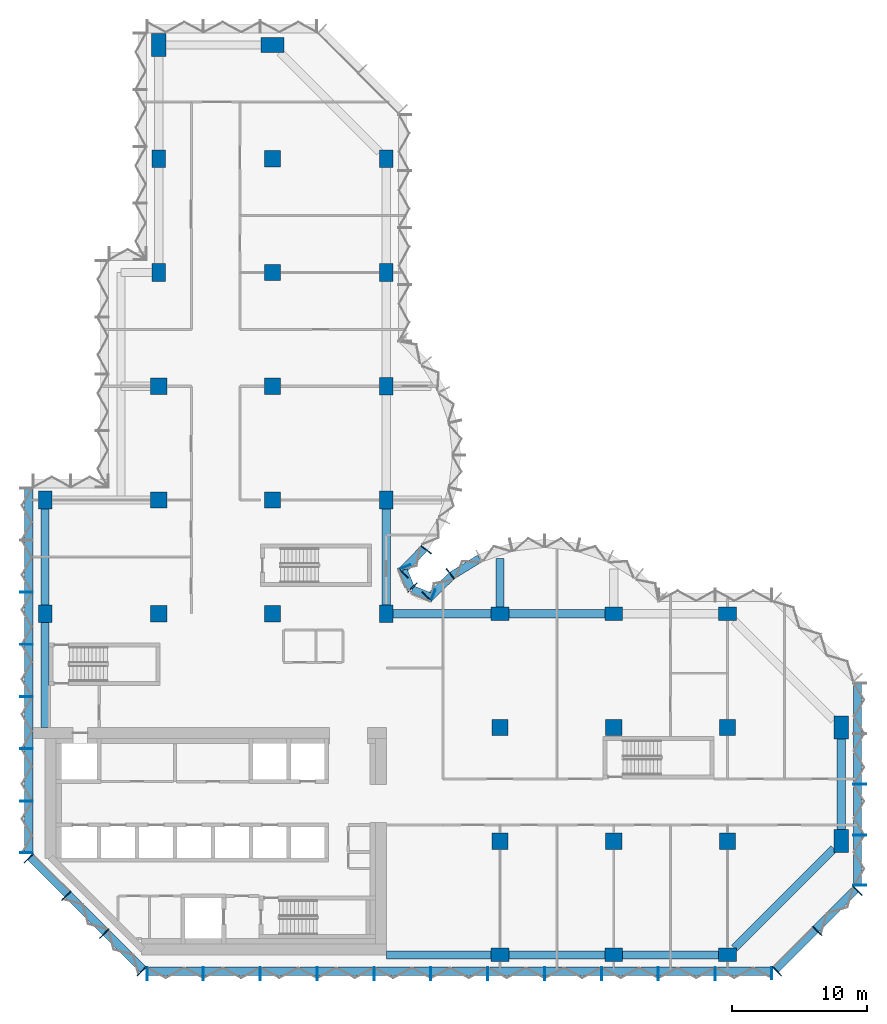
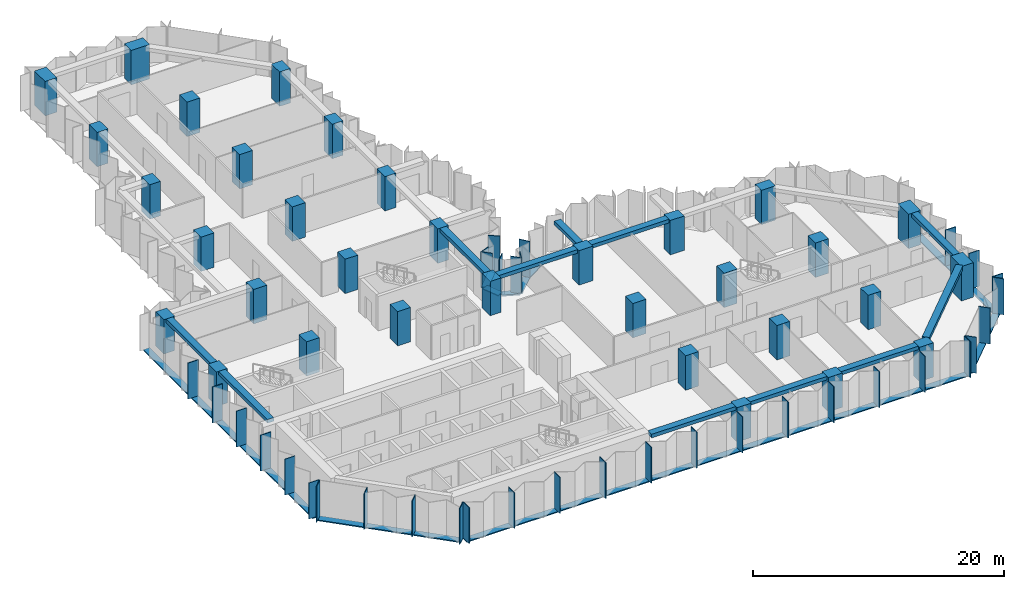
# One storey, part 1 of 11: 45 members, 33 columns, 11 beams, 8 elements without a shape of their own.
"""IFC4 building model written with IfcOpenShell, lengths in metres."""

from ifc_helpers import new_model, si_unit, direction, frame, origin, origin_2d, place, context, subcontext, project, spatial, rectangle, extrude, material, material_profile, profile_set, type_object, element, aggregate, save


model = new_model("IFC4")

# Units and contexts
model_context = context("Model", 3, precision=1e-05, world=origin(), true_north=direction((0.0, 1.0)))
body_context = subcontext(model_context, "Body", "Model", "MODEL_VIEW")
ifc_project = project(units=[si_unit("LENGTHUNIT", "METRE"), si_unit("AREAUNIT", "SQUARE_METRE"), si_unit("VOLUMEUNIT", "CUBIC_METRE"), si_unit("PLANEANGLEUNIT", "RADIAN"), si_unit("MASSUNIT", "GRAM", prefix="KILO")], contexts=[model_context])

# Site, building, storey
site_placement = place(None, origin())
site = spatial("IfcSite", under=ifc_project, at=site_placement, CompositionType="ELEMENT")
building_placement = place(site_placement, origin())
building = spatial("IfcBuilding", under=site, at=building_placement, Name="Brevane Broadcast Tower", CompositionType="ELEMENT")
storey_placement = place(building_placement, frame((0.0, 0.0, 149.300048828125)))
storey = spatial("IfcBuildingStorey", under=building, at=storey_placement, Name="L37", CompositionType="ELEMENT", Elevation=149.300048828125)

# Columns
ifc_material_1 = material(Name="Concrete C60/75", Category="concrete")
ifc_material_profile_1 = material_profile(ifc_material_1, rectangle(XDim=1.0, YDim=1.300048828125, at=origin_2d()), Name="RC 1000x1300")
ifc_profile_set_1 = profile_set([ifc_material_profile_1], Name="Concrete C60/75")
column_type_1 = type_object("IfcColumnType", Name="RC COLUMN EDGE 1000x1300 C60/75", PredefinedType="COLUMN", material=ifc_profile_set_1)
for number, where, z_axis, x_axis, name in (
    (1, (0.0, 25.199951171875, 0.0), (0.0, 0.0, 1.0), (1.0, 0.0, 0.0), "CE8 1/D"),
    (2, (0.0, 33.60009765625, 0.0), (0.0, 0.0, 1.0), (1.0, 0.0, 0.0), "CE8 1/E"),
    (3, (8.39990234375, 50.39990234375, 0.0), (0.0, 0.0, 1.0), (1.0, 0.0, 0.0), "CE8 2/G"),
    (4, (8.39990234375, 58.800048828125, 0.0), (0.0, 0.0, 1.0), (1.0, 0.0, 0.0), "CE8 2/H"),
    (5, (25.199951171875, 25.199951171875, 0.0), (0.0, 0.0, 1.0), (1.0, 0.0, 0.0), "CE8 4/D"),
    (6, (25.199951171875, 33.60009765625, 0.0), (0.0, 0.0, 1.0), (1.0, 0.0, 0.0), "CE8 4/E"),
    (7, (25.199951171875, 42.0, 0.0), (0.0, 0.0, 1.0), (1.0, 0.0, 0.0), "CE8 4/F"),
    (8, (25.199951171875, 50.39990234375, 0.0), (0.0, 0.0, 1.0), (1.0, 0.0, 0.0), "CE8 4/G"),
    (9, (25.199951171875, 58.800048828125, 0.0), (0.0, 0.0, 1.0), (1.0, 0.0, 0.0), "CE8 4/H"),
    (10, (33.60009765625, 0.0, 0.0), (0.0, 0.0, 1.0), (0.0, 1.0, 0.0), "CE8 5/A"),
    (11, (33.60009765625, 25.199951171875, 0.0), (0.0, 0.0, 1.0), (0.0, 1.0, 0.0), "CE8 5/D"),
    (12, (42.0, 0.0, 0.0), (0.0, 0.0, 1.0), (0.0, 1.0, 0.0), "CE8 6/A"),
    (13, (42.0, 25.199951171875, 0.0), (0.0, 0.0, 1.0), (0.0, 1.0, 0.0), "CE8 6/D"),
    (14, (50.39990234375, 0.0, 0.0), (0.0, 0.0, 1.0), (0.0, 1.0, 0.0), "CE8 7/A"),
    (15, (50.39990234375, 25.199951171875, 0.0), (0.0, 0.0, 1.0), (0.0, 1.0, 0.0), "CE8 7/D"),
):
    element("IfcColumn", number, at=place(storey_placement, frame(where, z_axis=z_axis, x_axis=x_axis)), inside=storey, type_object=column_type_1, Name=name, PredefinedType="COLUMN", context=body_context, shape_type="SweptSolid", body=[
        extrude(rectangle(XDim=1.0, YDim=1.300048828125, at=origin_2d()), origin(), (0.0, 0.0, 1.0), 3.349853515625),
    ])
ifc_material_profile_2 = material_profile(ifc_material_1, rectangle(XDim=1.199951171875, YDim=1.199951171875, at=origin_2d()), Name="RC 1200x1200")
ifc_profile_set_2 = profile_set([ifc_material_profile_2], Name="Concrete C60/75")
column_type_2 = type_object("IfcColumnType", Name="RC COLUMN INTERIOR 1200x1200 C60/75", PredefinedType="COLUMN", material=ifc_profile_set_2)
for number, where, z_axis, x_axis, name in (
    (16, (8.39990234375, 25.199951171875, 0.0), (0.0, 0.0, 1.0), (1.0, 0.0, 0.0), "CI9 2/D"),
    (17, (8.39990234375, 33.60009765625, 0.0), (0.0, 0.0, 1.0), (1.0, 0.0, 0.0), "CI9 2/E"),
    (18, (8.39990234375, 42.0, 0.0), (0.0, 0.0, 1.0), (1.0, 0.0, 0.0), "CI9 2/F"),
    (19, (16.800048828125, 25.199951171875, 0.0), (0.0, 0.0, 1.0), (1.0, 0.0, 0.0), "CI9 3/D"),
    (20, (16.800048828125, 33.60009765625, 0.0), (0.0, 0.0, 1.0), (1.0, 0.0, 0.0), "CI9 3/E"),
    (21, (16.800048828125, 42.0, 0.0), (0.0, 0.0, 1.0), (1.0, 0.0, 0.0), "CI9 3/F"),
    (22, (16.800048828125, 50.39990234375, 0.0), (0.0, 0.0, 1.0), (1.0, 0.0, 0.0), "CI9 3/G"),
    (23, (16.800048828125, 58.800048828125, 0.0), (0.0, 0.0, 1.0), (1.0, 0.0, 0.0), "CI9 3/H"),
    (24, (33.60009765625, 8.39990234375, 0.0), (0.0, 0.0, 1.0), (1.0, 0.0, 0.0), "CI9 5/B"),
    (25, (33.60009765625, 16.800048828125, 0.0), (0.0, 0.0, 1.0), (1.0, 0.0, 0.0), "CI9 5/C"),
    (26, (42.0, 8.39990234375, 0.0), (0.0, 0.0, 1.0), (1.0, 0.0, 0.0), "CI9 6/B"),
    (27, (42.0, 16.800048828125, 0.0), (0.0, 0.0, 1.0), (1.0, 0.0, 0.0), "CI9 6/C"),
    (28, (50.39990234375, 8.39990234375, 0.0), (0.0, 0.0, 1.0), (1.0, 0.0, 0.0), "CI9 7/B"),
    (29, (50.39990234375, 16.800048828125, 0.0), (0.0, 0.0, 1.0), (1.0, 0.0, 0.0), "CI9 7/C"),
):
    element("IfcColumn", number, at=place(storey_placement, frame(where, z_axis=z_axis, x_axis=x_axis)), inside=storey, type_object=column_type_2, Name=name, PredefinedType="COLUMN", context=body_context, shape_type="SweptSolid", body=[
        extrude(rectangle(XDim=1.199951171875, YDim=1.199951171875, at=origin_2d()), origin(), (0.0, 0.0, 1.0), 3.349853515625),
    ])
ifc_material_profile_3 = material_profile(ifc_material_1, rectangle(XDim=1.10009765625, YDim=1.699951171875, at=origin_2d()), Name="RC 1100x1700")
ifc_profile_set_3 = profile_set([ifc_material_profile_3], Name="Concrete C60/75")
column_type_3 = type_object("IfcColumnType", Name="RC COLUMN WING-END 1100x1700 C60/75", PredefinedType="COLUMN", material=ifc_profile_set_3)
for number, where, z_axis, x_axis, name in (
    (30, (8.39990234375, 67.199951171875, 0.0), (0.0, 0.0, 1.0), (1.0, 0.0, 0.0), "CW10 2/I"),
    (31, (16.800048828125, 67.199951171875, 0.0), (0.0, 0.0, 1.0), (0.0, 1.0, 0.0), "CW10 3/I"),
    (32, (58.800048828125, 8.39990234375, 0.0), (0.0, 0.0, 1.0), (1.0, 0.0, 0.0), "CW10 8/B"),
    (33, (58.800048828125, 16.800048828125, 0.0), (0.0, 0.0, 1.0), (1.0, 0.0, 0.0), "CW10 8/C"),
):
    element("IfcColumn", number, at=place(storey_placement, frame(where, z_axis=z_axis, x_axis=x_axis)), inside=storey, type_object=column_type_3, Name=name, PredefinedType="COLUMN", context=body_context, shape_type="SweptSolid", body=[
        extrude(rectangle(XDim=1.10009765625, YDim=1.699951171875, at=origin_2d()), origin(), (0.0, 0.0, 1.0), 3.349853515625),
    ])

# Curtain wall, members
ifc_material_2 = material(Name="Aluminium 6063-T6 bronze anodised", Category="aluminium")
curtain_wall_type = type_object("IfcCurtainWallType", Name="CW-1 curtain wall", PredefinedType="NOTDEFINED", material=ifc_material_2)
curtain_wall_1_placement = place(storey_placement, origin())
curtain_wall_1 = element("IfcCurtainWall", 34, at=curtain_wall_1_placement, inside=storey, type_object=curtain_wall_type, Name="CW-1 typical tilted unit L37 south face", PredefinedType="NOTDEFINED")
ifc_material_profile_4 = material_profile(ifc_material_2, rectangle(XDim=0.949951171875, YDim=0.070068359375, at=origin_2d()), Name="RECT 70x950")
ifc_profile_set_4 = profile_set([ifc_material_profile_4], Name="Aluminium 6063-T6 bronze anodised")
member_type_1 = type_object("IfcMemberType", Name="CW-1 mullion 70x950", PredefinedType="MULLION", material=ifc_profile_set_4)
member_1_placement = place(storey_placement, frame((7.534912109375, -1.375, -0.150146484375), z_axis=(0.0, 0.0, 1.0), x_axis=(0.0, 1.0, 0.0)))
member_1 = element("IfcMember", 35, at=member_1_placement, type_object=member_type_1, Name="CW-1 mullion", PredefinedType="MULLION", context=body_context, shape_type="SweptSolid", body=[
    extrude(rectangle(XDim=0.949951171875, YDim=0.070068359375, at=origin_2d()), origin(), (0.0, 0.0, 1.0), 3.5),
])
member_2_placement = place(storey_placement, frame((11.699951171875, -1.375, -0.150146484375), z_axis=(0.0, 0.0, 1.0), x_axis=(0.0, 1.0, 0.0)))
member_2 = element("IfcMember", 36, at=member_2_placement, type_object=member_type_1, Name="CW-1 mullion", PredefinedType="MULLION", context=body_context, shape_type="SweptSolid", body=[
    extrude(rectangle(XDim=0.949951171875, YDim=0.070068359375, at=origin_2d()), origin(), (0.0, 0.0, 1.0), 3.5),
])
member_3_placement = place(storey_placement, frame((15.89990234375, -1.375, -0.150146484375), z_axis=(0.0, 0.0, 1.0), x_axis=(0.0, 1.0, 0.0)))
member_3 = element("IfcMember", 37, at=member_3_placement, type_object=member_type_1, Name="CW-1 mullion", PredefinedType="MULLION", context=body_context, shape_type="SweptSolid", body=[
    extrude(rectangle(XDim=0.949951171875, YDim=0.070068359375, at=origin_2d()), origin(), (0.0, 0.0, 1.0), 3.5),
])
member_4_placement = place(storey_placement, frame((20.10009765625, -1.375, -0.150146484375), z_axis=(0.0, 0.0, 1.0), x_axis=(0.0, 1.0, 0.0)))
member_4 = element("IfcMember", 38, at=member_4_placement, type_object=member_type_1, Name="CW-1 mullion", PredefinedType="MULLION", context=body_context, shape_type="SweptSolid", body=[
    extrude(rectangle(XDim=0.949951171875, YDim=0.070068359375, at=origin_2d()), origin(), (0.0, 0.0, 1.0), 3.5),
])
member_5_placement = place(storey_placement, frame((24.300048828125, -1.375, -0.150146484375), z_axis=(0.0, 0.0, 1.0), x_axis=(0.0, 1.0, 0.0)))
member_5 = element("IfcMember", 39, at=member_5_placement, type_object=member_type_1, Name="CW-1 mullion", PredefinedType="MULLION", context=body_context, shape_type="SweptSolid", body=[
    extrude(rectangle(XDim=0.949951171875, YDim=0.070068359375, at=origin_2d()), origin(), (0.0, 0.0, 1.0), 3.5),
])
member_6_placement = place(storey_placement, frame((28.5, -1.375, -0.150146484375), z_axis=(0.0, 0.0, 1.0), x_axis=(0.0, 1.0, 0.0)))
member_6 = element("IfcMember", 40, at=member_6_placement, type_object=member_type_1, Name="CW-1 mullion", PredefinedType="MULLION", context=body_context, shape_type="SweptSolid", body=[
    extrude(rectangle(XDim=0.949951171875, YDim=0.070068359375, at=origin_2d()), origin(), (0.0, 0.0, 1.0), 3.5),
])
member_7_placement = place(storey_placement, frame((32.699951171875, -1.375, -0.150146484375), z_axis=(0.0, 0.0, 1.0), x_axis=(0.0, 1.0, 0.0)))
member_7 = element("IfcMember", 41, at=member_7_placement, type_object=member_type_1, Name="CW-1 mullion", PredefinedType="MULLION", context=body_context, shape_type="SweptSolid", body=[
    extrude(rectangle(XDim=0.949951171875, YDim=0.070068359375, at=origin_2d()), origin(), (0.0, 0.0, 1.0), 3.5),
])
member_8_placement = place(storey_placement, frame((36.89990234375, -1.375, -0.150146484375), z_axis=(0.0, 0.0, 1.0), x_axis=(0.0, 1.0, 0.0)))
member_8 = element("IfcMember", 42, at=member_8_placement, type_object=member_type_1, Name="CW-1 mullion", PredefinedType="MULLION", context=body_context, shape_type="SweptSolid", body=[
    extrude(rectangle(XDim=0.949951171875, YDim=0.070068359375, at=origin_2d()), origin(), (0.0, 0.0, 1.0), 3.5),
])
member_9_placement = place(storey_placement, frame((41.10009765625, -1.375, -0.150146484375), z_axis=(0.0, 0.0, 1.0), x_axis=(0.0, 1.0, 0.0)))
member_9 = element("IfcMember", 43, at=member_9_placement, type_object=member_type_1, Name="CW-1 mullion", PredefinedType="MULLION", context=body_context, shape_type="SweptSolid", body=[
    extrude(rectangle(XDim=0.949951171875, YDim=0.070068359375, at=origin_2d()), origin(), (0.0, 0.0, 1.0), 3.5),
])
member_10_placement = place(storey_placement, frame((45.300048828125, -1.375, -0.150146484375), z_axis=(0.0, 0.0, 1.0), x_axis=(0.0, 1.0, 0.0)))
member_10 = element("IfcMember", 44, at=member_10_placement, type_object=member_type_1, Name="CW-1 mullion", PredefinedType="MULLION", context=body_context, shape_type="SweptSolid", body=[
    extrude(rectangle(XDim=0.949951171875, YDim=0.070068359375, at=origin_2d()), origin(), (0.0, 0.0, 1.0), 3.5),
])
member_11_placement = place(storey_placement, frame((49.5, -1.375, -0.150146484375), z_axis=(0.0, 0.0, 1.0), x_axis=(0.0, 1.0, 0.0)))
member_11 = element("IfcMember", 45, at=member_11_placement, type_object=member_type_1, Name="CW-1 mullion", PredefinedType="MULLION", context=body_context, shape_type="SweptSolid", body=[
    extrude(rectangle(XDim=0.949951171875, YDim=0.070068359375, at=origin_2d()), origin(), (0.0, 0.0, 1.0), 3.5),
])
member_12_placement = place(storey_placement, frame((53.6650390625, -1.375, -0.150146484375), z_axis=(0.0, 0.0, 1.0), x_axis=(0.0, 1.0, 0.0)))
member_12 = element("IfcMember", 46, at=member_12_placement, type_object=member_type_1, Name="CW-1 mullion", PredefinedType="MULLION", context=body_context, shape_type="SweptSolid", body=[
    extrude(rectangle(XDim=0.949951171875, YDim=0.070068359375, at=origin_2d()), origin(), (0.0, 0.0, 1.0), 3.5),
])

curtain_wall_2_placement = place(storey_placement, origin())
curtain_wall_2 = element("IfcCurtainWall", 47, at=curtain_wall_2_placement, inside=storey, type_object=curtain_wall_type, Name="CW-1 typical tilted unit L37 south-east chamfer", PredefinedType="NOTDEFINED")
member_13_placement = place(storey_placement, frame((54.060546875, -1.211181640625, -0.150146484375), z_axis=(0.0, 0.0, 1.0), x_axis=(-0.707106781187, 0.707106781187, 0.0)))
member_13 = element("IfcMember", 48, at=member_13_placement, type_object=member_type_1, Name="CW-1 mullion", PredefinedType="MULLION", context=body_context, shape_type="SweptSolid", body=[
    extrude(rectangle(XDim=0.949951171875, YDim=0.070068359375, at=origin_2d()), origin(), (0.0, 0.0, 1.0), 3.5),
])
member_14_placement = place(storey_placement, frame((57.035888671875, 1.76416015625, -0.150146484375), z_axis=(0.0, 0.0, 1.0), x_axis=(-0.707106781187, 0.707106781187, 0.0)))
member_14 = element("IfcMember", 49, at=member_14_placement, type_object=member_type_1, Name="CW-1 mullion", PredefinedType="MULLION", context=body_context, shape_type="SweptSolid", body=[
    extrude(rectangle(XDim=0.949951171875, YDim=0.070068359375, at=origin_2d()), origin(), (0.0, 0.0, 1.0), 3.5),
])
member_15_placement = place(storey_placement, frame((60.01123046875, 4.7392578125, -0.150146484375), z_axis=(0.0, 0.0, 1.0), x_axis=(-0.707106781187, 0.707106781187, 0.0)))
member_15 = element("IfcMember", 50, at=member_15_placement, type_object=member_type_1, Name="CW-1 mullion", PredefinedType="MULLION", context=body_context, shape_type="SweptSolid", body=[
    extrude(rectangle(XDim=0.949951171875, YDim=0.070068359375, at=origin_2d()), origin(), (0.0, 0.0, 1.0), 3.5),
])

curtain_wall_3_placement = place(storey_placement, origin())
curtain_wall_3 = element("IfcCurtainWall", 51, at=curtain_wall_3_placement, inside=storey, type_object=curtain_wall_type, Name="CW-1 typical tilted unit L37 east end", PredefinedType="NOTDEFINED")
member_16_placement = place(storey_placement, frame((60.175048828125, 5.135009765625, -0.150146484375), z_axis=(0.0, 0.0, 1.0), x_axis=(-1.0, 0.0, 0.0)))
member_16 = element("IfcMember", 52, at=member_16_placement, type_object=member_type_1, Name="CW-1 mullion", PredefinedType="MULLION", context=body_context, shape_type="SweptSolid", body=[
    extrude(rectangle(XDim=0.949951171875, YDim=0.070068359375, at=origin_2d()), origin(), (0.0, 0.0, 1.0), 3.5),
])
member_17_placement = place(storey_placement, frame((60.175048828125, 8.85009765625, -0.150146484375), z_axis=(0.0, 0.0, 1.0), x_axis=(-1.0, 0.0, 0.0)))
member_17 = element("IfcMember", 53, at=member_17_placement, type_object=member_type_1, Name="CW-1 mullion", PredefinedType="MULLION", context=body_context, shape_type="SweptSolid", body=[
    extrude(rectangle(XDim=0.949951171875, YDim=0.070068359375, at=origin_2d()), origin(), (0.0, 0.0, 1.0), 3.5),
])
member_18_placement = place(storey_placement, frame((60.175048828125, 12.60009765625, -0.150146484375), z_axis=(0.0, 0.0, 1.0), x_axis=(-1.0, 0.0, 0.0)))
member_18 = element("IfcMember", 54, at=member_18_placement, type_object=member_type_1, Name="CW-1 mullion", PredefinedType="MULLION", context=body_context, shape_type="SweptSolid", body=[
    extrude(rectangle(XDim=0.949951171875, YDim=0.070068359375, at=origin_2d()), origin(), (0.0, 0.0, 1.0), 3.5),
])

curtain_wall_4_placement = place(storey_placement, origin())
curtain_wall_4 = element("IfcCurtainWall", 55, at=curtain_wall_4_placement, inside=storey, type_object=curtain_wall_type, Name="CW-1 typical tilted unit L37 east bow", PredefinedType="NOTDEFINED")
member_19_placement = place(storey_placement, frame((29.927978515625, 28.1455078125, -0.150146484375), z_axis=(0.0, 0.0, 1.0), x_axis=(0.614769738617, -0.788706642853, 0.0)))
member_19 = element("IfcMember", 56, at=member_19_placement, type_object=member_type_1, Name="CW-1 mullion", PredefinedType="MULLION", context=body_context, shape_type="SweptSolid", body=[
    extrude(rectangle(XDim=0.949951171875, YDim=0.070068359375, at=origin_2d()), origin(), (0.0, 0.0, 1.0), 3.5),
])
member_20_placement = place(storey_placement, frame((28.194091796875, 26.465087890625, -0.150146484375), z_axis=(0.0, 0.0, 1.0), x_axis=(0.696811941702, -0.717253872699, 0.0)))
member_20 = element("IfcMember", 57, at=member_20_placement, type_object=member_type_1, Name="CW-1 mullion", PredefinedType="MULLION", context=body_context, shape_type="SweptSolid", body=[
    extrude(rectangle(XDim=0.949951171875, YDim=0.070068359375, at=origin_2d()), origin(), (0.0, 0.0, 1.0), 3.5),
])

curtain_wall_5_placement = place(storey_placement, origin())
curtain_wall_5 = element("IfcCurtainWall", 58, at=curtain_wall_5_placement, inside=storey, type_object=curtain_wall_type, Name="CW-1 typical tilted unit L37 inner corner", PredefinedType="NOTDEFINED")
member_21_placement = place(storey_placement, frame((28.6494140625, 26.55224609375, -0.150146484375), z_axis=(0.0, 0.0, 1.0), x_axis=(-0.382683612978, -0.923879457699, 0.0)))
member_21 = element("IfcMember", 59, at=member_21_placement, type_object=member_type_1, Name="CW-1 mullion", PredefinedType="MULLION", context=body_context, shape_type="SweptSolid", body=[
    extrude(rectangle(XDim=0.949951171875, YDim=0.070068359375, at=origin_2d()), origin(), (0.0, 0.0, 1.0), 3.5),
])
member_22_placement = place(storey_placement, frame((27.138916015625, 27.138916015625, -0.150146484375), z_axis=(0.0, 0.0, 1.0), x_axis=(-0.707106781187, -0.707106781187, 0.0)))
member_22 = element("IfcMember", 60, at=member_22_placement, type_object=member_type_1, Name="CW-1 mullion", PredefinedType="MULLION", context=body_context, shape_type="SweptSolid", body=[
    extrude(rectangle(XDim=0.949951171875, YDim=0.070068359375, at=origin_2d()), origin(), (0.0, 0.0, 1.0), 3.5),
])
member_23_placement = place(storey_placement, frame((26.55224609375, 28.6494140625, -0.150146484375), z_axis=(0.0, 0.0, 1.0), x_axis=(-0.923879457699, -0.382683612978, 0.0)))
member_23 = element("IfcMember", 61, at=member_23_placement, type_object=member_type_1, Name="CW-1 mullion", PredefinedType="MULLION", context=body_context, shape_type="SweptSolid", body=[
    extrude(rectangle(XDim=0.949951171875, YDim=0.070068359375, at=origin_2d()), origin(), (0.0, 0.0, 1.0), 3.5),
])

curtain_wall_6_placement = place(storey_placement, origin())
curtain_wall_6 = element("IfcCurtainWall", 62, at=curtain_wall_6_placement, inside=storey, type_object=curtain_wall_type, Name="CW-1 typical tilted unit L37 north bow", PredefinedType="NOTDEFINED")
member_24_placement = place(storey_placement, frame((26.465087890625, 28.194091796875, -0.150146484375), z_axis=(0.0, 0.0, 1.0), x_axis=(-0.717253872699, 0.696811941702, 0.0)))
member_24 = element("IfcMember", 63, at=member_24_placement, type_object=member_type_1, Name="CW-1 mullion", PredefinedType="MULLION", context=body_context, shape_type="SweptSolid", body=[
    extrude(rectangle(XDim=0.949951171875, YDim=0.070068359375, at=origin_2d()), origin(), (0.0, 0.0, 1.0), 3.5),
])
member_25_placement = place(storey_placement, frame((28.1455078125, 29.927978515625, -0.150146484375), z_axis=(0.0, 0.0, 1.0), x_axis=(-0.788706642853, 0.614769738617, 0.0)))
member_25 = element("IfcMember", 64, at=member_25_placement, type_object=member_type_1, Name="CW-1 mullion", PredefinedType="MULLION", context=body_context, shape_type="SweptSolid", body=[
    extrude(rectangle(XDim=0.949951171875, YDim=0.070068359375, at=origin_2d()), origin(), (0.0, 0.0, 1.0), 3.5),
])

curtain_wall_7_placement = place(storey_placement, origin())
curtain_wall_7 = element("IfcCurtainWall", 65, at=curtain_wall_7_placement, inside=storey, type_object=curtain_wall_type, Name="CW-1 typical tilted unit L37 west face", PredefinedType="NOTDEFINED")
member_26_placement = place(storey_placement, frame((-1.375, 26.78564453125, -0.150146484375), z_axis=(0.0, 0.0, 1.0), x_axis=(1.0, 0.0, 0.0)))
member_26 = element("IfcMember", 66, at=member_26_placement, type_object=member_type_1, Name="CW-1 mullion", PredefinedType="MULLION", context=body_context, shape_type="SweptSolid", body=[
    extrude(rectangle(XDim=0.949951171875, YDim=0.070068359375, at=origin_2d()), origin(), (0.0, 0.0, 1.0), 3.5),
])
member_27_placement = place(storey_placement, frame((-1.375, 22.928466796875, -0.150146484375), z_axis=(0.0, 0.0, 1.0), x_axis=(1.0, 0.0, 0.0)))
member_27 = element("IfcMember", 67, at=member_27_placement, type_object=member_type_1, Name="CW-1 mullion", PredefinedType="MULLION", context=body_context, shape_type="SweptSolid", body=[
    extrude(rectangle(XDim=0.949951171875, YDim=0.070068359375, at=origin_2d()), origin(), (0.0, 0.0, 1.0), 3.5),
])
member_28_placement = place(storey_placement, frame((-1.375, 19.071533203125, -0.150146484375), z_axis=(0.0, 0.0, 1.0), x_axis=(1.0, 0.0, 0.0)))
member_28 = element("IfcMember", 68, at=member_28_placement, type_object=member_type_1, Name="CW-1 mullion", PredefinedType="MULLION", context=body_context, shape_type="SweptSolid", body=[
    extrude(rectangle(XDim=0.949951171875, YDim=0.070068359375, at=origin_2d()), origin(), (0.0, 0.0, 1.0), 3.5),
])
member_29_placement = place(storey_placement, frame((-1.375, 15.21435546875, -0.150146484375), z_axis=(0.0, 0.0, 1.0), x_axis=(1.0, 0.0, 0.0)))
member_29 = element("IfcMember", 69, at=member_29_placement, type_object=member_type_1, Name="CW-1 mullion", PredefinedType="MULLION", context=body_context, shape_type="SweptSolid", body=[
    extrude(rectangle(XDim=0.949951171875, YDim=0.070068359375, at=origin_2d()), origin(), (0.0, 0.0, 1.0), 3.5),
])
member_30_placement = place(storey_placement, frame((-1.375, 11.357177734375, -0.150146484375), z_axis=(0.0, 0.0, 1.0), x_axis=(1.0, 0.0, 0.0)))
member_30 = element("IfcMember", 70, at=member_30_placement, type_object=member_type_1, Name="CW-1 mullion", PredefinedType="MULLION", context=body_context, shape_type="SweptSolid", body=[
    extrude(rectangle(XDim=0.949951171875, YDim=0.070068359375, at=origin_2d()), origin(), (0.0, 0.0, 1.0), 3.5),
])
member_31_placement = place(storey_placement, frame((-1.375, 7.534912109375, -0.150146484375), z_axis=(0.0, 0.0, 1.0), x_axis=(1.0, 0.0, 0.0)))
member_31 = element("IfcMember", 71, at=member_31_placement, type_object=member_type_1, Name="CW-1 mullion", PredefinedType="MULLION", context=body_context, shape_type="SweptSolid", body=[
    extrude(rectangle(XDim=0.949951171875, YDim=0.070068359375, at=origin_2d()), origin(), (0.0, 0.0, 1.0), 3.5),
])

curtain_wall_8_placement = place(storey_placement, origin())
curtain_wall_8 = element("IfcCurtainWall", 72, at=curtain_wall_8_placement, inside=storey, type_object=curtain_wall_type, Name="CW-1 typical tilted unit L37 south-west chamfer", PredefinedType="NOTDEFINED")
member_32_placement = place(storey_placement, frame((-1.211181640625, 7.139404296875, -0.150146484375), z_axis=(0.0, 0.0, 1.0), x_axis=(0.707106781187, 0.707106781187, 0.0)))
member_32 = element("IfcMember", 73, at=member_32_placement, type_object=member_type_1, Name="CW-1 mullion", PredefinedType="MULLION", context=body_context, shape_type="SweptSolid", body=[
    extrude(rectangle(XDim=0.949951171875, YDim=0.070068359375, at=origin_2d()), origin(), (0.0, 0.0, 1.0), 3.5),
])
member_33_placement = place(storey_placement, frame((1.564208984375, 4.364013671875, -0.150146484375), z_axis=(0.0, 0.0, 1.0), x_axis=(0.707106781187, 0.707106781187, 0.0)))
member_33 = element("IfcMember", 74, at=member_33_placement, type_object=member_type_1, Name="CW-1 mullion", PredefinedType="MULLION", context=body_context, shape_type="SweptSolid", body=[
    extrude(rectangle(XDim=0.949951171875, YDim=0.070068359375, at=origin_2d()), origin(), (0.0, 0.0, 1.0), 3.5),
])
member_34_placement = place(storey_placement, frame((4.364013671875, 1.564208984375, -0.150146484375), z_axis=(0.0, 0.0, 1.0), x_axis=(0.707106781187, 0.707106781187, 0.0)))
member_34 = element("IfcMember", 75, at=member_34_placement, type_object=member_type_1, Name="CW-1 mullion", PredefinedType="MULLION", context=body_context, shape_type="SweptSolid", body=[
    extrude(rectangle(XDim=0.949951171875, YDim=0.070068359375, at=origin_2d()), origin(), (0.0, 0.0, 1.0), 3.5),
])
member_35_placement = place(storey_placement, frame((7.139404296875, -1.211181640625, -0.150146484375), z_axis=(0.0, 0.0, 1.0), x_axis=(0.707106781187, 0.707106781187, 0.0)))
member_35 = element("IfcMember", 76, at=member_35_placement, type_object=member_type_1, Name="CW-1 mullion", PredefinedType="MULLION", context=body_context, shape_type="SweptSolid", body=[
    extrude(rectangle(XDim=0.949951171875, YDim=0.070068359375, at=origin_2d()), origin(), (0.0, 0.0, 1.0), 3.5),
])

# Member
ifc_material_profile_5 = material_profile(ifc_material_2, rectangle(XDim=0.60009765625, YDim=0.10009765625, at=origin_2d()), Name="RECT 100x600")
ifc_profile_set_5 = profile_set([ifc_material_profile_5], Name="Aluminium 6063-T6 bronze anodised")
member_type_2 = type_object("IfcMemberType", Name="CW-1 transom 100x600", PredefinedType="USERDEFINED", material=ifc_profile_set_5)
member_36_placement = place(storey_placement, frame((7.5, -1.199951171875, -0.199951171875), z_axis=(1.0, 0.0, 0.0), x_axis=(0.0, 1.0, 0.0)))
member_36 = element("IfcMember", 77, at=member_36_placement, type_object=member_type_2, Name="CW-1 transom", ObjectType="TRANSOM", PredefinedType="USERDEFINED", context=body_context, shape_type="SweptSolid", body=[
    extrude(rectangle(XDim=0.60009765625, YDim=0.10009765625, at=origin_2d()), origin(), (0.0, 0.0, 1.0), 46.199951171875),
])

aggregate(curtain_wall_1, [member_1, member_2, member_3, member_4, member_5, member_6, member_7, member_8, member_9, member_10, member_11, member_12, member_36])

member_37_placement = place(storey_placement, frame((53.912109375, -1.112060546875, -0.199951171875), z_axis=(0.707106781187, 0.707106781187, 0.0), x_axis=(-0.707106781187, 0.707106781187, 0.0)))
member_37 = element("IfcMember", 78, at=member_37_placement, type_object=member_type_2, Name="CW-1 transom", ObjectType="TRANSOM", PredefinedType="USERDEFINED", context=body_context, shape_type="SweptSolid", body=[
    extrude(rectangle(XDim=0.60009765625, YDim=0.10009765625, at=origin_2d()), origin(), (0.0, 0.0, 1.0), 8.4853515625),
])

aggregate(curtain_wall_2, [member_13, member_14, member_15, member_37])

member_38_placement = place(storey_placement, frame((60.0, 5.10009765625, -0.199951171875), z_axis=(0.0, 1.0, 0.0), x_axis=(-1.0, 0.0, 0.0)))
member_38 = element("IfcMember", 79, at=member_38_placement, type_object=member_type_2, Name="CW-1 transom", ObjectType="TRANSOM", PredefinedType="USERDEFINED", context=body_context, shape_type="SweptSolid", body=[
    extrude(rectangle(XDim=0.60009765625, YDim=0.10009765625, at=origin_2d()), origin(), (0.0, 0.0, 1.0), 15.0),
])

aggregate(curtain_wall_3, [member_16, member_17, member_18, member_38])

member_39_placement = place(storey_placement, frame((32.09521484375, 29.281494140625, -0.199951171875), z_axis=(-0.850838211365, -0.525427766759, 0.0), x_axis=(0.525427766759, -0.850838211365, 0.0)))
member_39 = element("IfcMember", 80, at=member_39_placement, type_object=member_type_2, Name="CW-1 transom", ObjectType="TRANSOM", PredefinedType="USERDEFINED", context=body_context, shape_type="SweptSolid", body=[
    extrude(rectangle(XDim=0.60009765625, YDim=0.10009765625, at=origin_2d()), origin(), (0.0, 0.0, 1.0), 2.394775390625),
])

member_40_placement = place(storey_placement, frame((29.99951171875, 27.974365234375, -0.199951171875), z_axis=(-0.71724215871, -0.696823999134, 0.0), x_axis=(0.696823999134, -0.71724215871, 0.0)))
member_40 = element("IfcMember", 81, at=member_40_placement, type_object=member_type_2, Name="CW-1 transom", ObjectType="TRANSOM", PredefinedType="USERDEFINED", context=body_context, shape_type="SweptSolid", body=[
    extrude(rectangle(XDim=0.60009765625, YDim=0.10009765625, at=origin_2d()), origin(), (0.0, 0.0, 1.0), 2.247802734375),
])

aggregate(curtain_wall_4, [member_19, member_20, member_39, member_40])

member_41_placement = place(storey_placement, frame((28.528076171875, 26.40673828125, -0.199951171875), z_axis=(-0.923883243627, 0.382674472816, 0.0), x_axis=(-0.382674472816, -0.923883243627, 0.0)))
member_41 = element("IfcMember", 82, at=member_41_placement, type_object=member_type_2, Name="CW-1 transom", ObjectType="TRANSOM", PredefinedType="USERDEFINED", context=body_context, shape_type="SweptSolid", body=[
    extrude(rectangle(XDim=0.60009765625, YDim=0.10009765625, at=origin_2d()), origin(), (0.0, 0.0, 1.0), 1.536865234375),
])

member_42_placement = place(storey_placement, frame((27.039794921875, 27.0, -0.199951171875), z_axis=(-0.382674472816, 0.923883243627, 0.0), x_axis=(-0.923883243627, -0.382674472816, 0.0)))
member_42 = element("IfcMember", 83, at=member_42_placement, type_object=member_type_2, Name="CW-1 transom", ObjectType="TRANSOM", PredefinedType="USERDEFINED", context=body_context, shape_type="SweptSolid", body=[
    extrude(rectangle(XDim=0.60009765625, YDim=0.10009765625, at=origin_2d()), origin(), (0.0, 0.0, 1.0), 1.536865234375),
])

aggregate(curtain_wall_5, [member_21, member_22, member_23, member_41, member_42])

member_43_placement = place(storey_placement, frame((26.407958984375, 28.38720703125, -0.199951171875), z_axis=(0.696823999134, 0.71724215871, 0.0), x_axis=(-0.71724215871, 0.696823999134, 0.0)))
member_43 = element("IfcMember", 84, at=member_43_placement, type_object=member_type_2, Name="CW-1 transom", ObjectType="TRANSOM", PredefinedType="USERDEFINED", context=body_context, shape_type="SweptSolid", body=[
    extrude(rectangle(XDim=0.60009765625, YDim=0.10009765625, at=origin_2d()), origin(), (0.0, 0.0, 1.0), 2.247802734375),
])

aggregate(curtain_wall_6, [member_24, member_25, member_43])

member_44_placement = place(storey_placement, frame((-1.199951171875, 34.5, -0.199951171875), z_axis=(0.0, -1.0, 0.0), x_axis=(1.0, 0.0, 0.0)))
member_44 = element("IfcMember", 85, at=member_44_placement, type_object=member_type_2, Name="CW-1 transom", ObjectType="TRANSOM", PredefinedType="USERDEFINED", context=body_context, shape_type="SweptSolid", body=[
    extrude(rectangle(XDim=0.60009765625, YDim=0.10009765625, at=origin_2d()), origin(), (0.0, 0.0, 1.0), 27.0),
])

aggregate(curtain_wall_7, [member_26, member_27, member_28, member_29, member_30, member_31, member_44])

member_45_placement = place(storey_placement, frame((-1.112060546875, 7.287841796875, -0.199951171875), z_axis=(0.707106781187, -0.707106781187, 0.0), x_axis=(0.707106781187, 0.707106781187, 0.0)))
member_45 = element("IfcMember", 86, at=member_45_placement, type_object=member_type_2, Name="CW-1 transom", ObjectType="TRANSOM", PredefinedType="USERDEFINED", context=body_context, shape_type="SweptSolid", body=[
    extrude(rectangle(XDim=0.60009765625, YDim=0.10009765625, at=origin_2d()), origin(), (0.0, 0.0, 1.0), 11.879150390625),
])

aggregate(curtain_wall_8, [member_32, member_33, member_34, member_35, member_45])

# Beams
ifc_material_3 = material(Name="Concrete C40/50", Category="concrete")
ifc_material_profile_6 = material_profile(ifc_material_3, rectangle(XDim=0.60009765625, YDim=0.35009765625, at=origin_2d()), Name="RC 600x350")
ifc_profile_set_6 = profile_set([ifc_material_profile_6], Name="Concrete C40/50")
beam_type_1 = type_object("IfcBeamType", Name="RC BRACKET BEAM 600x350 C40/50", PredefinedType="BEAM", material=ifc_profile_set_6)
beam_1_placement = place(storey_placement, frame((33.60009765625, 25.699951171875, 3.175048828125), z_axis=(0.0, 1.0, 0.0), x_axis=(-1.0, 0.0, 0.0)))
element("IfcBeam", 87, at=beam_1_placement, inside=storey, type_object=beam_type_1, Name="EB2 L37-3", PredefinedType="BEAM", context=body_context, shape_type="SweptSolid", body=[
    extrude(rectangle(XDim=0.60009765625, YDim=0.35009765625, at=origin_2d()), origin(), (0.0, 0.0, 1.0), 3.56201171875),
])
ifc_material_profile_7 = material_profile(ifc_material_3, rectangle(XDim=0.60009765625, YDim=0.35009765625, at=origin_2d()), Name="RC 600x350")
ifc_profile_set_7 = profile_set([ifc_material_profile_7], Name="Concrete C40/50")
beam_type_2 = type_object("IfcBeamType", Name="RC SPANDREL BEAM 600x350 C40/50", PredefinedType="SPANDREL", material=ifc_profile_set_7)
beam_2_placement = place(storey_placement, frame((25.199951171875, 0.0, 3.175048828125), z_axis=(1.0, 0.0, 0.0), x_axis=(0.0, 1.0, 0.0)))
element("IfcBeam", 88, at=beam_2_placement, inside=storey, type_object=beam_type_2, Name="EB1 L37-1", PredefinedType="SPANDREL", context=body_context, shape_type="SweptSolid", body=[
    extrude(rectangle(XDim=0.60009765625, YDim=0.35009765625, at=origin_2d()), origin(), (0.0, 0.0, 1.0), 7.75),
])
for number, where, z_axis, x_axis, name in (
    (89, (34.25, 0.0, 3.175048828125), (1.0, 0.0, 0.0), (0.0, 1.0, 0.0), "EB1 L37-2"),
    (90, (42.64990234375, 0.0, 3.175048828125), (1.0, 0.0, 0.0), (0.0, 1.0, 0.0), "EB1 L37-3"),
):
    element("IfcBeam", number, at=place(storey_placement, frame(where, z_axis=z_axis, x_axis=x_axis)), inside=storey, type_object=beam_type_2, Name=name, PredefinedType="SPANDREL", context=body_context, shape_type="SweptSolid", body=[
        extrude(rectangle(XDim=0.60009765625, YDim=0.35009765625, at=origin_2d()), origin(), (0.0, 0.0, 1.0), 7.10009765625),
    ])
beam_3_placement = place(storey_placement, frame((50.89990234375, 0.5, 3.175048828125), z_axis=(0.707106781187, 0.707106781187, 0.0), x_axis=(-0.707106781187, 0.707106781187, 0.0)))
element("IfcBeam", 91, at=beam_3_placement, inside=storey, type_object=beam_type_2, Name="EB1 L37-4", PredefinedType="SPANDREL", context=body_context, shape_type="SweptSolid", body=[
    extrude(rectangle(XDim=0.60009765625, YDim=0.35009765625, at=origin_2d()), origin(), (0.0, 0.0, 1.0), 10.39453125),
])
beam_4_placement = place(storey_placement, frame((58.800048828125, 9.25, 3.175048828125), z_axis=(0.0, 1.0, 0.0), x_axis=(-1.0, 0.0, 0.0)))
element("IfcBeam", 92, at=beam_4_placement, inside=storey, type_object=beam_type_2, Name="EB1 L37-5", PredefinedType="SPANDREL", context=body_context, shape_type="SweptSolid", body=[
    extrude(rectangle(XDim=0.60009765625, YDim=0.35009765625, at=origin_2d()), origin(), (0.0, 0.0, 1.0), 6.699951171875),
])
beam_5_placement = place(storey_placement, frame((41.35009765625, 25.199951171875, 3.175048828125), z_axis=(-1.0, 0.0, 0.0), x_axis=(0.0, -1.0, 0.0)))
element("IfcBeam", 93, at=beam_5_placement, inside=storey, type_object=beam_type_2, Name="EB1 L37-8", PredefinedType="SPANDREL", context=body_context, shape_type="SweptSolid", body=[
    extrude(rectangle(XDim=0.60009765625, YDim=0.35009765625, at=origin_2d()), origin(), (0.0, 0.0, 1.0), 7.10009765625),
])
beam_6_placement = place(storey_placement, frame((32.949951171875, 25.199951171875, 3.175048828125), z_axis=(-1.0, 0.0, 0.0), x_axis=(0.0, -1.0, 0.0)))
element("IfcBeam", 94, at=beam_6_placement, inside=storey, type_object=beam_type_2, Name="EB1 L37-9", PredefinedType="SPANDREL", context=body_context, shape_type="SweptSolid", body=[
    extrude(rectangle(XDim=0.60009765625, YDim=0.35009765625, at=origin_2d()), origin(), (0.0, 0.0, 1.0), 7.25),
])
for number, where, z_axis, x_axis, name in (
    (95, (25.199951171875, 25.85009765625, 3.175048828125), (0.0, 1.0, 0.0), (-1.0, 0.0, 0.0), "EB1 L37-10"),
    (96, (0.0, 32.949951171875, 3.175048828125), (0.0, -1.0, 0.0), (1.0, 0.0, 0.0), "EB1 L37-16"),
):
    element("IfcBeam", number, at=place(storey_placement, frame(where, z_axis=z_axis, x_axis=x_axis)), inside=storey, type_object=beam_type_2, Name=name, PredefinedType="SPANDREL", context=body_context, shape_type="SweptSolid", body=[
        extrude(rectangle(XDim=0.60009765625, YDim=0.35009765625, at=origin_2d()), origin(), (0.0, 0.0, 1.0), 7.099853515625),
    ])
beam_7_placement = place(storey_placement, frame((0.0, 24.550048828125, 3.175048828125), z_axis=(0.0, -1.0, 0.0), x_axis=(1.0, 0.0, 0.0)))
element("IfcBeam", 97, at=beam_7_placement, inside=storey, type_object=beam_type_2, Name="EB1 L37-17", PredefinedType="SPANDREL", context=body_context, shape_type="SweptSolid", body=[
    extrude(rectangle(XDim=0.60009765625, YDim=0.35009765625, at=origin_2d()), origin(), (0.0, 0.0, 1.0), 7.75),
])

save(model, "model.ifc")
